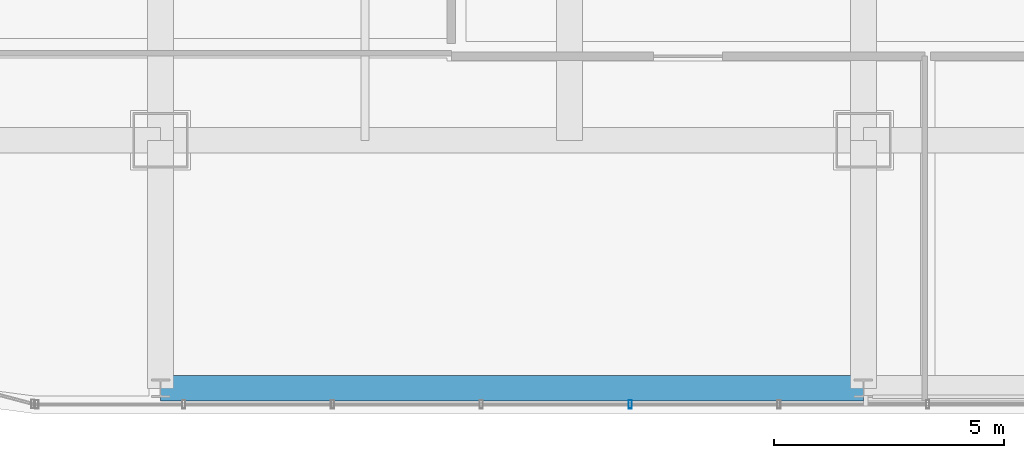
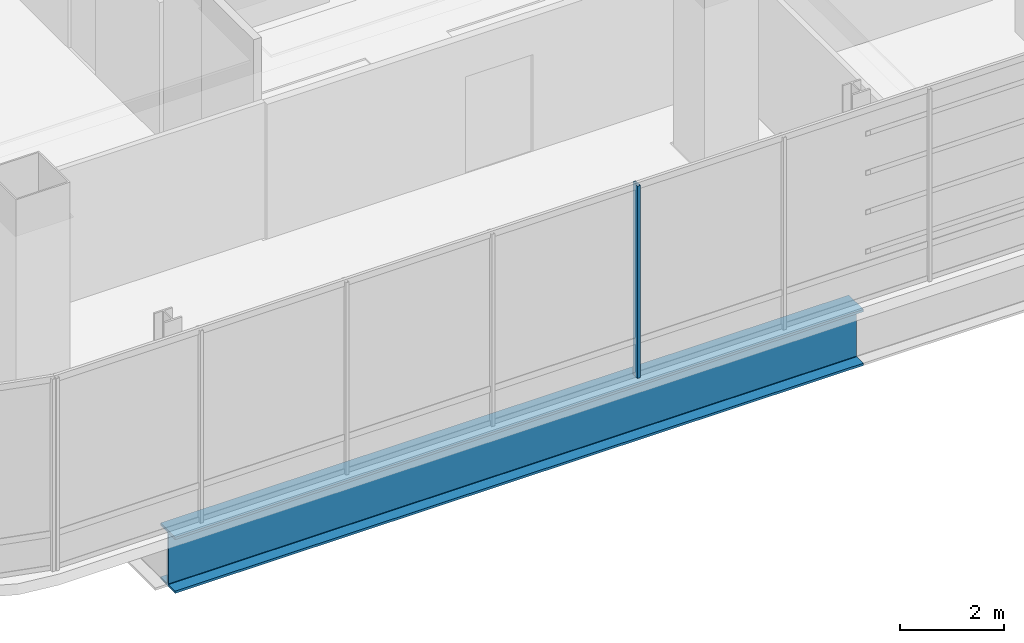
# One storey, part 3 of 45: 1 beam, 1 member, 1 element without a shape of its own.
"""IFC4 building model written with IfcOpenShell, lengths in metres."""

from ifc_helpers import new_model, si_unit, direction, frame, origin, origin_2d, place, context, subcontext, project, spatial, hollow_rectangle, i_section, extrude, material, material_profile, profile_set, type_object, element, aggregate, save


model = new_model("IFC4")

# Units and contexts
model_context = context("Model", 3, precision=1e-05, world=origin(), true_north=direction((0.0, 1.0)))
body_context = subcontext(model_context, "Body", "Model", "MODEL_VIEW")
ifc_project = project(units=[si_unit("LENGTHUNIT", "METRE"), si_unit("AREAUNIT", "SQUARE_METRE"), si_unit("VOLUMEUNIT", "CUBIC_METRE"), si_unit("PLANEANGLEUNIT", "RADIAN"), si_unit("MASSUNIT", "GRAM", prefix="KILO")], contexts=[model_context])

# Site, building, storey
site_placement = place(None, origin())
site = spatial("IfcSite", under=ifc_project, at=site_placement, CompositionType="ELEMENT")
building_placement = place(site_placement, origin())
building = spatial("IfcBuilding", under=site, at=building_placement, Name="Punatoya Terracotta Tower", CompositionType="ELEMENT")
storey_placement = place(building_placement, frame((0.0, 0.0, 339.0)))
storey = spatial("IfcBuildingStorey", under=building, at=storey_placement, Name="L80", CompositionType="ELEMENT", Elevation=339.0)

# Beam
ifc_material_1 = material(Name="Steel S460", Category="steel")
ifc_material_profile_1 = material_profile(ifc_material_1, i_section(OverallWidth=0.56005859375, OverallDepth=1.320068359375, WebThickness=0.035888671875, FlangeThickness=0.054931640625, FilletRadius=0.01806640625, at=origin_2d()))
ifc_profile_set_1 = profile_set([ifc_material_profile_1], Name="Steel S460")
beam_type = type_object("IfcBeamType", Name="BM-TG-BLK", PredefinedType="BEAM", material=ifc_profile_set_1)
beam_placement = place(storey_placement, frame((-19.10009765625, -22.89990234375, -0.919921875), z_axis=(1.0, 0.0, 0.0), x_axis=(0.0, 1.0, 0.0)))
element("IfcBeam", 1, at=beam_placement, inside=storey, type_object=beam_type, Name="BM-L80-PER-S1", PredefinedType="BEAM", context=body_context, shape_type="SweptSolid", body=[
    extrude(i_section(OverallWidth=0.56005859375, OverallDepth=1.320068359375, WebThickness=0.035888671875, FlangeThickness=0.054931640625, FilletRadius=0.01806640625, at=origin_2d()), origin(), (0.0, 0.0, 1.0), 15.300048828125),
])

# Curtain wall, member
ifc_material_2 = material(Name="Aluminium 6063-T6 + Double Low-E Glass", Category="aluminium")
curtain_wall_type = type_object("IfcCurtainWallType", Name="CW-OBS", PredefinedType="NOTDEFINED", material=ifc_material_2)
curtain_wall_placement = place(storey_placement, origin())
curtain_wall = element("IfcCurtainWall", 2, at=curtain_wall_placement, inside=storey, type_object=curtain_wall_type, Name="L80 Curtain Wall CW-L80-S01-1", PredefinedType="NOTDEFINED")
ifc_material_3 = material(Name="Aluminium 6063-T6", Category="aluminium")
ifc_material_profile_2 = material_profile(ifc_material_3, hollow_rectangle(XDim=0.070068359375, YDim=0.179931640625, WallThickness=0.00390625, at=origin_2d()))
ifc_profile_set_2 = profile_set([ifc_material_profile_2], Name="Aluminium 6063-T6")
member_type = type_object("IfcMemberType", Name="CW-MUL-M3", PredefinedType="MULLION", material=ifc_profile_set_2)
member_placement = place(storey_placement, frame((-8.87890625, -23.25, 0.0), z_axis=(0.0, 0.0, 1.0), x_axis=(1.0, 0.0, 0.0)))
member = element("IfcMember", 3, at=member_placement, type_object=member_type, Name="CW-L80-S01-1 Mullion 04", PredefinedType="MULLION", context=body_context, shape_type="SweptSolid", body=[
    extrude(hollow_rectangle(XDim=0.070068359375, YDim=0.179931640625, WallThickness=0.00390625, at=origin_2d()), origin(), (0.0, 0.0, 1.0), 4.52001953125),
])
aggregate(curtain_wall, [member])

save(model, "model.ifc")
